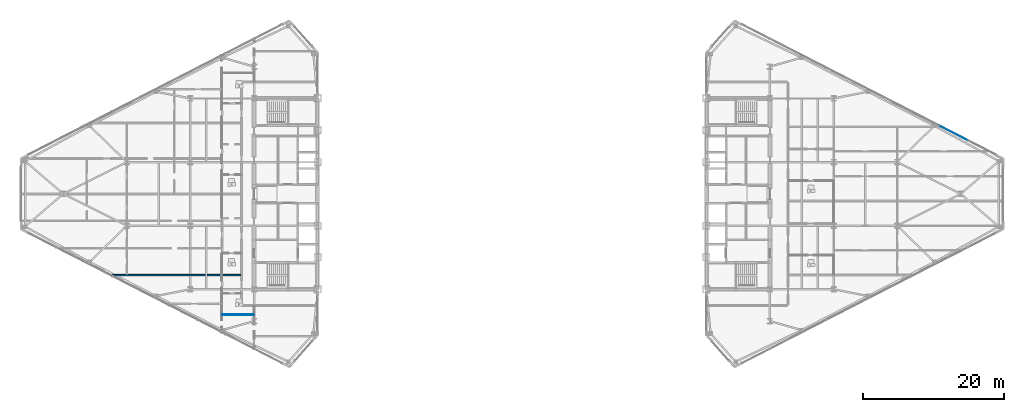
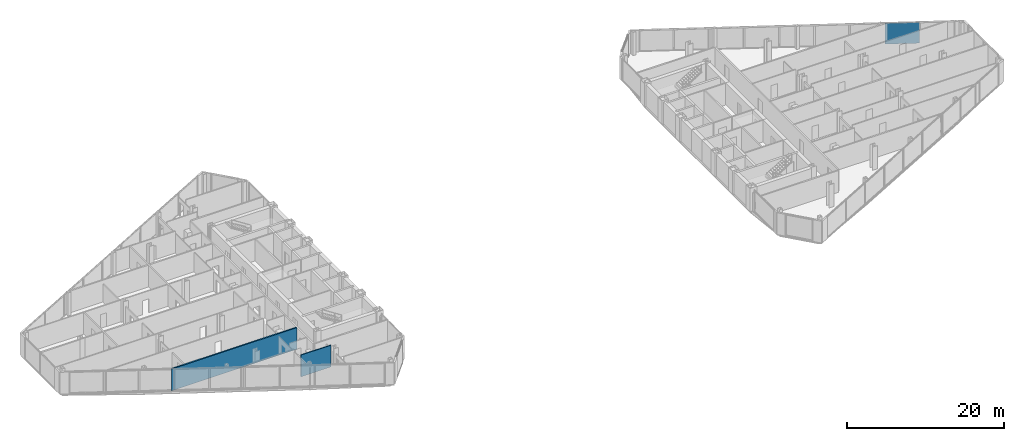
# One storey, part 15 of 24: 2 walls, 1 plate, 1 element without a shape of its own.
"""IFC4 building model written with IfcOpenShell, lengths in metres."""

import ifcopenshell
import ifcopenshell.guid

model = None  # the IFC model being written
_history = None  # IfcOwnerHistory: only IFC2X3 demands one
_inside = {}  # id of a spatial element -> (the spatial element, [elements in it])
_under = {}  # id of a project, library or spatial element -> (it, [spatial elements below it])
_declared = {}  # id of a project -> (the project, [libraries it declares])
_typed = {}  # id of a type object -> (the type object, [elements of that type])
_made_of = {}  # id of a material, layer set ... -> (it, [elements and type objects made of it])


def new_model(schema):
    """Start an empty IFC model of exactly this schema.

    Asked for "IFC4X3", IfcOpenShell would pick the latest addendum, in which some entities
    have other attributes; the version numbers below select the first issue.
    IFC2X3 requires an IfcOwnerHistory on every rooted entity: one is made here for all.
    """
    global model, _history
    if schema == "IFC4X3":
        model = ifcopenshell.file(schema_version=(4, 3, 0, 0))
    else:
        model = ifcopenshell.file(schema=schema)
    _inside.clear()
    _under.clear()
    _declared.clear()
    _typed.clear()
    _made_of.clear()
    _history = None
    if model.schema == "IFC2X3":
        org = make("IfcOrganization", Name="unknown")
        user = make(
            "IfcPersonAndOrganization",
            ThePerson=make("IfcPerson", FamilyName="unknown"),
            TheOrganization=org,
        )
        app = make(
            "IfcApplication",
            ApplicationDeveloper=org,
            Version="unknown",
            ApplicationFullName="unknown",
            ApplicationIdentifier="unknown",
        )
        _history = make(
            "IfcOwnerHistory",
            OwningUser=user,
            OwningApplication=app,
            ChangeAction="ADDED",
            CreationDate=0,
        )
    return model


def make(cls, **values):
    """One entity of the class cls with the attributes given. An attribute that is None is left unset."""
    return model.create_entity(
        cls, **{name: value for name, value in values.items() if value is not None}
    )


def rooted(cls, **values):
    """An entity with a GlobalId (a new one), such as an element, a storey or a relation."""
    return make(cls, GlobalId=ifcopenshell.guid.new(), OwnerHistory=_history, **values)


def si_unit(unit_type, name, prefix=None):
    """IfcSIUnit, for example si_unit("LENGTHUNIT", "METRE", prefix="MILLI")."""
    return make("IfcSIUnit", UnitType=unit_type, Prefix=prefix, Name=name)


def assignment(units):
    """IfcUnitAssignment: the units of a project."""
    return None if units is None else make("IfcUnitAssignment", Units=units)


def point(xyz):
    """IfcCartesianPoint."""
    return None if xyz is None else make("IfcCartesianPoint", Coordinates=xyz)


def direction(xyz):
    """IfcDirection."""
    return None if xyz is None else make("IfcDirection", DirectionRatios=xyz)


def frame(location, z_axis=None, x_axis=None):
    """IfcAxis2Placement3D, a coordinate frame: its origin and axes. An axis left out is left unset."""
    return make(
        "IfcAxis2Placement3D",
        Location=point(location),
        Axis=direction(z_axis),
        RefDirection=direction(x_axis),
    )


def frame_2d(location, x_axis=None):
    """IfcAxis2Placement2D, a coordinate frame in the plane: its origin and x axis."""
    return make(
        "IfcAxis2Placement2D", Location=point(location), RefDirection=direction(x_axis)
    )


def origin():
    """The frame at (0, 0, 0) with its axes left unset."""
    return frame((0.0, 0.0, 0.0))


def origin_2d():
    """The frame at (0, 0) in the plane with its x axis left unset."""
    return frame_2d((0.0, 0.0))


def place(relative_to, where):
    """IfcLocalPlacement: puts the frame where relative to a parent placement (None: the world)."""
    return make(
        "IfcLocalPlacement", PlacementRelTo=relative_to, RelativePlacement=where
    )


def context(
    kind, dimensions, precision=None, world=None, true_north=None, identifier=None
):
    """IfcGeometricRepresentationContext, for example the 3D "Model" context."""
    return make(
        "IfcGeometricRepresentationContext",
        ContextIdentifier=identifier,
        ContextType=kind,
        CoordinateSpaceDimension=dimensions,
        Precision=precision,
        WorldCoordinateSystem=world,
        TrueNorth=true_north,
    )


def subcontext(parent, identifier, kind, view, scale=None):
    """IfcGeometricRepresentationSubContext, for example "Body" below "Model"."""
    return make(
        "IfcGeometricRepresentationSubContext",
        ContextIdentifier=identifier,
        ContextType=kind,
        ParentContext=parent,
        TargetScale=scale,
        TargetView=view,
    )


def project(units=None, contexts=None):
    """IfcProject with its units and contexts."""
    return rooted(
        "IfcProject",
        Name="project",
        RepresentationContexts=contexts,
        UnitsInContext=assignment(units),
    )


def spatial(cls, under=None, at=None, **own):
    """A site, building, storey or space (cls), placed at a placement, below another one or the project."""
    s = rooted(cls, ObjectPlacement=at, **own)
    if under is not None:
        _under.setdefault(under.id(), (under, []))[1].append(s)
    return s


def profile(cls, at=None, kind="AREA", **sizes):
    """A parametric profile (cls). Its sizes go by their IFC names, for example OverallWidth=200.0."""
    return make(cls, ProfileType=kind, Position=at, **sizes)


def rectangle(**sizes):
    """IfcRectangleProfileDef."""
    return profile("IfcRectangleProfileDef", **sizes)


def extrude(swept, where, along, depth):
    """IfcExtrudedAreaSolid: the profile swept, set in the frame where, extruded along a direction by depth."""
    return make(
        "IfcExtrudedAreaSolid",
        SweptArea=swept,
        Position=where,
        ExtrudedDirection=direction(along),
        Depth=depth,
    )


def shape(context_of_items, identifier, shape_type, items):
    """IfcShapeRepresentation: the items that make up one representation, for example the "Body"."""
    return make(
        "IfcShapeRepresentation",
        ContextOfItems=context_of_items,
        RepresentationIdentifier=identifier,
        RepresentationType=shape_type,
        Items=items,
    )


def source(mapping_origin, context_of_items, identifier, shape_type, items):
    """IfcRepresentationMap: a shape defined once, which mapped items show again and again."""
    return make(
        "IfcRepresentationMap",
        MappingOrigin=mapping_origin,
        MappedRepresentation=shape(context_of_items, identifier, shape_type, items),
    )


def transform(
    local_origin,
    x_axis=None,
    y_axis=None,
    z_axis=None,
    scale=None,
    scale2=None,
    scale3=None,
    uniform=True,
):
    """IfcCartesianTransformationOperator3D, or its non-uniform kind. x_axis, y_axis, z_axis: its Axis1, 2, 3."""
    if uniform:
        return make(
            "IfcCartesianTransformationOperator3D",
            Axis1=direction(x_axis),
            Axis2=direction(y_axis),
            LocalOrigin=point(local_origin),
            Scale=scale,
            Axis3=direction(z_axis),
        )
    return make(
        "IfcCartesianTransformationOperator3DnonUniform",
        Axis1=direction(x_axis),
        Axis2=direction(y_axis),
        LocalOrigin=point(local_origin),
        Scale=scale,
        Axis3=direction(z_axis),
        Scale2=scale2,
        Scale3=scale3,
    )


def mapped(mapping_source, mapping_target):
    """IfcMappedItem: shows the shape of a source again, moved by a transform."""
    return make(
        "IfcMappedItem", MappingSource=mapping_source, MappingTarget=mapping_target
    )


def material(Name=None, Category=None):
    """IfcMaterial."""
    return make("IfcMaterial", Name=Name, Category=Category)


def layer(
    of_material, thickness, ventilated=None, Name=None, Category=None, Priority=None
):
    """IfcMaterialLayer: one layer of a wall or slab, of a material (None: an air gap)."""
    return make(
        "IfcMaterialLayer",
        Material=of_material,
        LayerThickness=thickness,
        IsVentilated=ventilated,
        Name=Name,
        Category=Category,
        Priority=Priority,
    )


def layer_set(layers, Name=None):
    """IfcMaterialLayerSet."""
    return make("IfcMaterialLayerSet", MaterialLayers=layers, LayerSetName=Name)


def made_of(thing, what):
    """Note that an element or type object is made of a material, layer set ...; save() writes the relation."""
    if what is not None:
        _made_of.setdefault(what.id(), (what, []))[1].append(thing)
    return thing


def type_object(cls, material=None, **own):
    """A type object (cls), such as IfcWallType, which elements share."""
    return made_of(rooted(cls, **own), material)


def type_shapes(of_type, sources):
    """Give a type object the sources (RepresentationMaps) that its elements show as mapped items."""
    of_type.RepresentationMaps = sources


def element(
    cls,
    number,
    at=None,
    inside=None,
    cuts=None,
    type_object=None,
    material=None,
    context=None,
    identifier="Body",
    shape_type=None,
    held_by="IfcProductDefinitionShape",
    body=None,
    shapes=None,
    **own,
):
    """One element of the class cls, such as IfcWall. Its Tag is "e" and its number.

    at: its placement. inside: the storey or other place that contains it. cuts: it is an
    opening in that element (IfcRelVoidsElement). A single representation is given by context,
    identifier, shape_type and body (its items); several are given by shapes. held_by: the class
    of the entity that holds the representations. save() writes the other relations.
    """
    e = rooted(cls, Tag="e%d" % number, ObjectPlacement=at, **own)
    if body is not None:
        shapes = [shape(context, identifier, shape_type, body)]
    if shapes is not None:
        e.Representation = make(held_by, Representations=shapes)
    if inside is not None:
        _inside.setdefault(inside.id(), (inside, []))[1].append(e)
    if cuts is not None:
        rooted(
            "IfcRelVoidsElement", RelatingBuildingElement=cuts, RelatedOpeningElement=e
        )
    if type_object is not None:
        _typed.setdefault(type_object.id(), (type_object, []))[1].append(e)
    return made_of(e, material)


def aggregate(whole, parts):
    """IfcRelAggregates: a whole, such as a stair, and the parts it consists of."""
    return rooted("IfcRelAggregates", RelatingObject=whole, RelatedObjects=parts)


def save(model, path):
    """Write the relations noted so far, then the file.

    IfcRelAggregates (storeys below a building ...), IfcRelContainedInSpatialStructure (elements
    in a storey), IfcRelDefinesByType, IfcRelAssociatesMaterial and IfcRelDeclares: one each for
    every whole, place, type object, material and project.
    """
    for whole, parts in _under.values():
        aggregate(whole, parts)
    for where, things in _inside.values():
        rooted(
            "IfcRelContainedInSpatialStructure",
            RelatedElements=things,
            RelatingStructure=where,
        )
    for kind, things in _typed.values():
        rooted("IfcRelDefinesByType", RelatedObjects=things, RelatingType=kind)
    for what, things in _made_of.values():
        rooted("IfcRelAssociatesMaterial", RelatedObjects=things, RelatingMaterial=what)
    for by, libraries in _declared.values():
        rooted("IfcRelDeclares", RelatingContext=by, RelatedDefinitions=libraries)
    model.write(path)


model = new_model("IFC4")

# Units and contexts
model_context = context("Model", 3, precision=1e-05, world=origin(), true_north=direction((0.0, 1.0)))
body_context = subcontext(model_context, "Body", "Model", "MODEL_VIEW")
ifc_project = project(units=[si_unit("LENGTHUNIT", "METRE"), si_unit("AREAUNIT", "SQUARE_METRE"), si_unit("VOLUMEUNIT", "CUBIC_METRE"), si_unit("PLANEANGLEUNIT", "RADIAN"), si_unit("MASSUNIT", "GRAM", prefix="KILO")], contexts=[model_context])

# Site, building, storey
site_placement = place(None, origin())
site = spatial("IfcSite", under=ifc_project, at=site_placement, CompositionType="ELEMENT")
building_placement = place(site_placement, origin())
building = spatial("IfcBuilding", under=site, at=building_placement, Name="Seokmaru Belvedere", CompositionType="ELEMENT")
storey_placement = place(building_placement, frame((0.0, 0.0, 140.39990234375)))
storey = spatial("IfcBuildingStorey", under=building, at=storey_placement, Name="L37", CompositionType="ELEMENT", Elevation=140.39990234375)

# Curtain wall, plate
ifc_material_1 = material(Name="Bronze Triple Insulating Glass", Category="glass")
ifc_layer_1 = layer(ifc_material_1, 0.195068359375)
ifc_layer_set_1 = layer_set([ifc_layer_1], Name="Bronze Triple Insulating Glass")
curtain_wall_type = type_object("IfcCurtainWallType", Name="Sky-Lobby and Mid-Rise Curtain Wall System CW-4", PredefinedType="NOTDEFINED", material=ifc_layer_set_1)
curtain_wall_placement = place(storey_placement, origin())
curtain_wall = element("IfcCurtainWall", 1, at=curtain_wall_placement, inside=storey, type_object=curtain_wall_type, Name="L37 Curtain Wall EF3", PredefinedType="NOTDEFINED")
ifc_layer_2 = layer(ifc_material_1, 0.035888671875)
ifc_layer_set_2 = layer_set([ifc_layer_2], Name="Bronze Triple Insulating Glass")
plate_type = type_object("IfcPlateType", Name="Bronze Triple Vision Glazing Panel 36", PredefinedType="CURTAIN_PANEL", material=ifc_layer_set_2)
shared_shape = source(origin(), body_context, "Body", "SweptSolid", [
    extrude(rectangle(XDim=4.420166015625, YDim=0.035888671875, at=origin_2d()), origin(), (0.0, 0.0, 1.0), 3.25),
])
type_shapes(plate_type, [shared_shape])
plate_placement = place(storey_placement, frame((62.484619140625, 8.60009765625, 0.065185546875), z_axis=(0.0, 0.0, 1.0), x_axis=(-0.889695432562, 0.456554528263, 0.0)))
plate = element("IfcPlate", 2, at=plate_placement, type_object=plate_type, Name="CW:L37:EF3 Glazing Panel 2-1", PredefinedType="CURTAIN_PANEL", context=body_context, shape_type="MappedRepresentation", body=[
    mapped(shared_shape, transform((0.0, 0.0, 0.0), scale=1.0)),
])
aggregate(curtain_wall, [plate])

# Walls
ifc_material_2 = material(Name="Fire-Rated Gypsum Shaftwall")
ifc_layer_3 = layer(ifc_material_2, 0.199951171875)
ifc_layer_set_3 = layer_set([ifc_layer_3], Name="Fire-Rated Gypsum Shaftwall")
wall_type_1 = type_object("IfcWallType", Name="Inter-Tenancy Fire Compartment Partition 200", PredefinedType="PARTITIONING", material=ifc_layer_set_3)
wall_1_placement = place(storey_placement, frame((-56.843994140625, -11.5, 0.0), z_axis=(0.0, 0.0, 1.0), x_axis=(1.0, 0.0, 0.0)))
element("IfcWall", 3, at=wall_1_placement, inside=storey, type_object=wall_type_1, Name="L37 Interior Partition 007", PredefinedType="PARTITIONING", context=body_context, shape_type="SweptSolid", body=[
    extrude(rectangle(XDim=18.464111328125, YDim=0.199951171875, at=frame_2d((9.23193359375, 0.0))), origin(), (0.0, 0.0, 1.0), 3.380126953125),
])
ifc_layer_4 = layer(ifc_material_2, 0.1298828125)
ifc_layer_set_4 = layer_set([ifc_layer_4], Name="Fire-Rated Gypsum Shaftwall")
wall_type_2 = type_object("IfcWallType", Name="Moisture-Resistant Fire-Rated Bathroom Partition 130", PredefinedType="PARTITIONING", material=ifc_layer_set_4)
wall_2_placement = place(storey_placement, frame((-41.0, -17.10009765625, 0.0), z_axis=(0.0, 0.0, 1.0), x_axis=(1.0, 0.0, 0.0)))
element("IfcWall", 4, at=wall_2_placement, inside=storey, type_object=wall_type_2, Name="L37 Interior Partition 002", PredefinedType="PARTITIONING", context=body_context, shape_type="SweptSolid", body=[
    extrude(rectangle(XDim=4.449951171875, YDim=0.1298828125, at=frame_2d((2.22509765625, 0.0))), origin(), (0.0, 0.0, 1.0), 3.380126953125),
])

save(model, "model.ifc")
